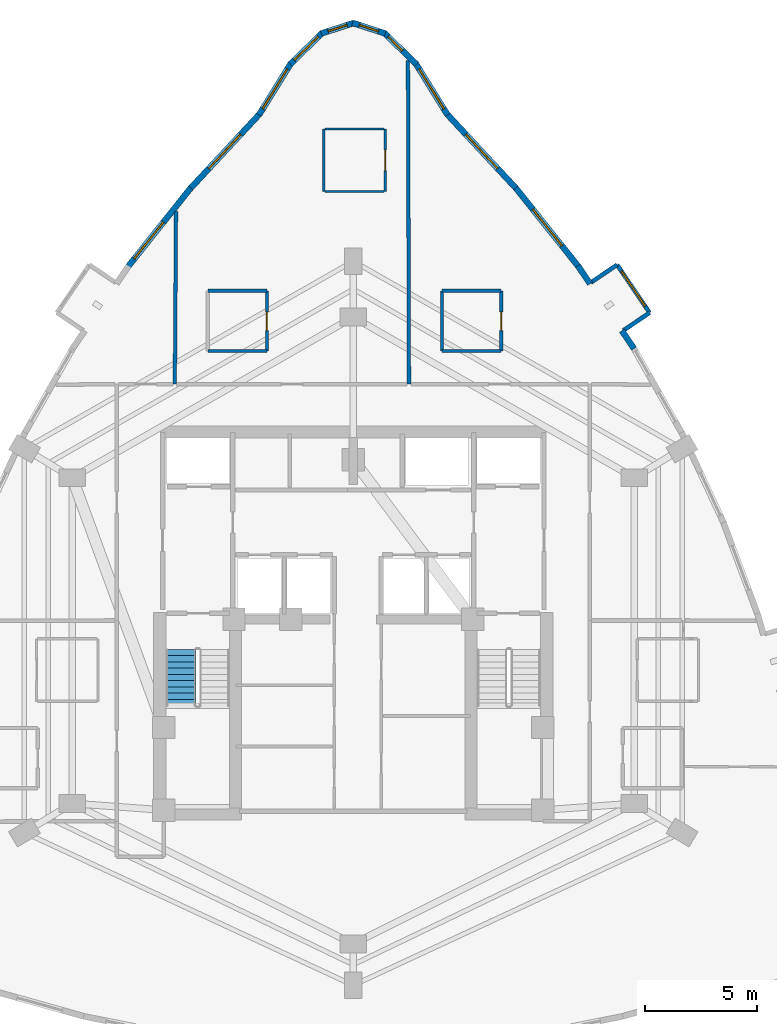
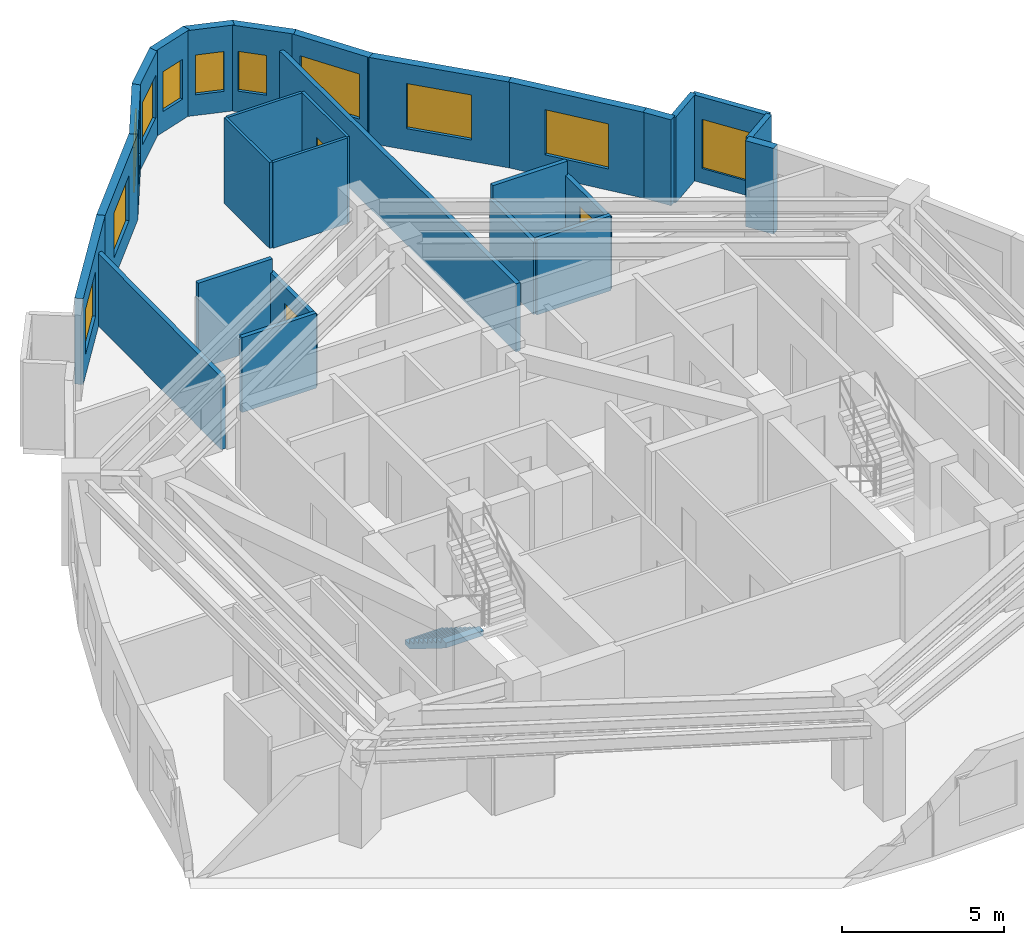
# One storey, part 7 of 9: 28 walls, 11 windows, 3 doors, 1 stair flight, 14 openings, 1 element without a shape of its own.
"""IFC4 building model written with IfcOpenShell, lengths in metres."""

from ifc_helpers import new_model, si_unit, direction, frame, frame_2d, origin, place, context, subcontext, project, spatial, polyline, rectangle, outline, extrude, material, layer, layer_set, type_object, element, fill, aggregate, save


model = new_model("IFC4")

# Units and contexts
model_context = context("Model", 3, precision=1e-05, world=origin(), true_north=direction((0.0, 1.0)))
body_context = subcontext(model_context, "Body", "Model", "MODEL_VIEW")
ifc_project = project(units=[si_unit("LENGTHUNIT", "METRE"), si_unit("AREAUNIT", "SQUARE_METRE"), si_unit("VOLUMEUNIT", "CUBIC_METRE"), si_unit("PLANEANGLEUNIT", "RADIAN"), si_unit("MASSUNIT", "GRAM", prefix="KILO")], contexts=[model_context])

# Site, building, storey
site_placement = place(None, origin())
site = spatial("IfcSite", under=ifc_project, at=site_placement, CompositionType="ELEMENT")
building_placement = place(site_placement, origin())
building = spatial("IfcBuilding", under=site, at=building_placement, Name="Miruveldt Soraemaru", CompositionType="ELEMENT")
storey_placement = place(building_placement, frame((0.0, 0.0, 135.39990234375)))
storey = spatial("IfcBuildingStorey", under=building, at=storey_placement, Name="L37", CompositionType="ELEMENT", Elevation=135.39990234375)

# Walls
ifc_material_1 = material(Name="White powder-coated aluminium EN AW-6060 T6", Category="aluminium")
ifc_layer_1 = layer(ifc_material_1, 0.18994140625, Name="White powder-coated aluminium EN AW-6060 T6", Category="aluminium")
ifc_layer_set_1 = layer_set([ifc_layer_1], Name="White powder-coated aluminium EN AW-6060 T6")
wall_type_1 = type_object("IfcWallType", Name="WALL-BAY-ALU190", PredefinedType="SOLIDWALL", material=ifc_layer_set_1)
for number, where, z_axis, x_axis, name in (
    (1, (56.10791015625, 56.998779296875, 0.0), (0.0, 0.0, 1.0), (0.827862228344, 0.560931485016, 0.0), "L37 Bay Window Side Cheek 3L"),
    (2, (55.82958984375, 59.95068359375, 0.0), (0.0, 0.0, 1.0), (-0.827995667279, -0.560734495966, 0.0), "L37 Bay Window Side Cheek 3R"),
):
    element("IfcWall", number, at=place(storey_placement, frame(where, z_axis=z_axis, x_axis=x_axis)), inside=storey, type_object=wall_type_1, Name=name, PredefinedType="SOLIDWALL", context=body_context, shape_type="SweptSolid", body=[
        extrude(rectangle(XDim=1.425048828125, YDim=0.18994140625, at=frame_2d((0.71240234375, 0.0))), origin(), (0.0, 0.0, 1.0), 3.235107421875),
    ])

# Wall, opening, window
wall_1_placement = place(storey_placement, frame((57.28759765625, 57.798095703125, 0.0), z_axis=(0.0, 0.0, 1.0), x_axis=(-0.560796235507, 0.827953852724, 0.0)))
wall_1 = element("IfcWall", 3, at=wall_1_placement, inside=storey, type_object=wall_type_1, Name="L37 Bay Window Front Frame 3", PredefinedType="SOLIDWALL", context=body_context, shape_type="SweptSolid", body=[
    extrude(rectangle(XDim=2.599853515625, YDim=0.18994140625, at=frame_2d((1.2998046875, 0.0))), origin(), (0.0, 0.0, 1.0), 3.235107421875),
])
opening_1_placement = place(wall_1_placement, frame((0.35009765625, 0.0, 0.550048828125)))
opening_1 = element("IfcOpeningElement", 4, at=opening_1_placement, cuts=wall_1, Name="Opening WN-6", PredefinedType="OPENING", context=body_context, shape_type="SweptSolid", body=[
    extrude(rectangle(XDim=1.89990234375, YDim=1.85009765625, at=frame_2d((0.949951171875, 0.925048828125))), frame((0.0, 0.10498046875, 0.0), z_axis=(0.0, -1.0, 0.0), x_axis=(1.0, 0.0, 0.0)), (0.0, 0.0, 1.0), 0.2099609375),
])
ifc_material_2 = material(Name="Triple low-e insulated glazing", Category="glass")
window_type_1 = type_object("IfcWindowType", Name="WIN-BAYW-1900x1850", PartitioningType="SINGLE_PANEL", PredefinedType="WINDOW", material=ifc_material_2)
window_1_placement = place(opening_1_placement, origin())
window_1 = element("IfcWindow", 5, at=window_1_placement, inside=storey, type_object=window_type_1, Name="L37 Projecting Bay Window 3", OverallHeight=1.85009765625, OverallWidth=1.89990234375, PartitioningType="SINGLE_PANEL", PredefinedType="WINDOW", context=body_context, shape_type="SweptSolid", body=[
    extrude(rectangle(XDim=1.89990234375, YDim=1.85009765625, at=frame_2d((0.949951171875, 0.925048828125))), frame((0.0, 0.030029296875, 0.0), z_axis=(0.0, -1.0, 0.0), x_axis=(1.0, 0.0, 0.0)), (0.0, 0.0, 1.0), 0.06005859375),
])
fill(opening_1, window_1)

ifc_material_3 = material(Name="Precast concrete C45/55 (45 MPa)", Category="concrete")
ifc_layer_2 = layer(ifc_material_3, 0.27001953125, Name="Precast concrete C45/55 (45 MPa)", Category="concrete")
ifc_layer_set_2 = layer_set([ifc_layer_2], Name="Precast concrete C45/55 (45 MPa)")
wall_type_2 = type_object("IfcWallType", Name="WALL-EXT-PC270", PredefinedType="SOLIDWALL", material=ifc_layer_set_2)
wall_2_placement = place(storey_placement, frame((48.227294921875, 66.669921875, 0.0), z_axis=(0.0, 0.0, 1.0), x_axis=(-0.526072038114, 0.850440010062, 0.0)))
wall_2 = element("IfcWall", 6, at=wall_2_placement, inside=storey, type_object=wall_type_2, Name="L37 Precast Concrete Facade Wall 1", PredefinedType="SOLIDWALL", context=body_context, shape_type="SweptSolid", body=[
    extrude(rectangle(XDim=2.736572265625, YDim=0.27001953125, at=frame_2d((1.3681640625, 0.0))), origin(), (0.0, 0.0, 1.0), 3.235107421875),
])
opening_2_placement = place(wall_2_placement, frame((0.319091796875, 0.0, 0.800048828125)))
opening_2 = element("IfcOpeningElement", 7, at=opening_2_placement, cuts=wall_2, Name="Opening WN-1", PredefinedType="OPENING", context=body_context, shape_type="SweptSolid", body=[
    extrude(rectangle(XDim=2.10009765625, YDim=1.699951171875, at=frame_2d((1.050048828125, 0.85009765625))), frame((0.0, 0.14501953125, 0.0), z_axis=(0.0, -1.0, 0.0), x_axis=(1.0, 0.0, 0.0)), (0.0, 0.0, 1.0), 0.2900390625),
])
window_type_2 = type_object("IfcWindowType", Name="WIN-PUNCH-2100x1700", PartitioningType="SINGLE_PANEL", PredefinedType="WINDOW", material=ifc_material_2)
window_2_placement = place(opening_2_placement, origin())
window_2 = element("IfcWindow", 8, at=window_2_placement, inside=storey, type_object=window_type_2, Name="L37 Punched Triple-Glazed Window 01.1", OverallHeight=1.699951171875, OverallWidth=2.10009765625, PartitioningType="SINGLE_PANEL", PredefinedType="WINDOW", context=body_context, shape_type="SweptSolid", body=[
    extrude(rectangle(XDim=2.10009765625, YDim=1.699951171875, at=frame_2d((1.050048828125, 0.85009765625))), frame((0.0, 0.030029296875, 0.0), z_axis=(0.0, -1.0, 0.0), x_axis=(1.0, 0.0, 0.0)), (0.0, 0.0, 1.0), 0.06005859375),
])
fill(opening_2, window_2)

wall_3_placement = place(storey_placement, frame((46.8310546875, 68.943115234375, 0.0), z_axis=(0.0, 0.0, 1.0), x_axis=(-0.717816386965, 0.696232457305, 0.0)))
wall_3 = element("IfcWall", 9, at=wall_3_placement, inside=storey, type_object=wall_type_2, Name="L37 Precast Concrete Facade Wall 2", PredefinedType="SOLIDWALL", context=body_context, shape_type="SweptSolid", body=[
    extrude(rectangle(XDim=2.024658203125, YDim=0.27001953125, at=frame_2d((1.01220703125, 0.0))), origin(), (0.0, 0.0, 1.0), 3.235107421875),
])
opening_3_placement = place(wall_3_placement, frame((0.875, 0.0, 0.780029296875)))
opening_3 = element("IfcOpeningElement", 10, at=opening_3_placement, cuts=wall_3, Name="Opening WN-7", PredefinedType="OPENING", context=body_context, shape_type="SweptSolid", body=[
    extrude(rectangle(XDim=0.89990234375, YDim=1.5, at=frame_2d((0.449951171875, 0.75))), frame((0.0, 0.14501953125, 0.0), z_axis=(0.0, -1.0, 0.0), x_axis=(1.0, 0.0, 0.0)), (0.0, 0.0, 1.0), 0.2900390625),
])
window_type_3 = type_object("IfcWindowType", Name="WIN-PUNCH-900x1500", PartitioningType="SINGLE_PANEL", PredefinedType="WINDOW", material=ifc_material_2)
window_3_placement = place(opening_3_placement, origin())
window_3 = element("IfcWindow", 11, at=window_3_placement, inside=storey, type_object=window_type_3, Name="L37 Punched Triple-Glazed Window 02.1", OverallHeight=1.5, OverallWidth=0.89990234375, PartitioningType="SINGLE_PANEL", PredefinedType="WINDOW", context=body_context, shape_type="SweptSolid", body=[
    extrude(rectangle(XDim=0.89990234375, YDim=1.5, at=frame_2d((0.449951171875, 0.75))), frame((0.0, 0.030029296875, 0.0), z_axis=(0.0, -1.0, 0.0), x_axis=(1.0, 0.0, 0.0)), (0.0, 0.0, 1.0), 0.06005859375),
])
fill(opening_3, window_3)

wall_4_placement = place(storey_placement, frame((45.436279296875, 70.317626953125, 0.0), z_axis=(0.0, 0.0, 1.0), x_axis=(-0.951505777251, 0.307630875981, 0.0)))
wall_4 = element("IfcWall", 12, at=wall_4_placement, inside=storey, type_object=wall_type_2, Name="L37 Precast Concrete Facade Wall 3", PredefinedType="SOLIDWALL", context=body_context, shape_type="SweptSolid", body=[
    extrude(rectangle(XDim=1.54443359375, YDim=0.27001953125, at=frame_2d((0.772216796875, 0.0))), origin(), (0.0, 0.0, 1.0), 3.235107421875),
])
opening_4_placement = place(wall_4_placement, frame((0.322021484375, 0.0, 0.780029296875)))
opening_4 = element("IfcOpeningElement", 13, at=opening_4_placement, cuts=wall_4, Name="Opening WN-7", PredefinedType="OPENING", context=body_context, shape_type="SweptSolid", body=[
    extrude(rectangle(XDim=0.89990234375, YDim=1.5, at=frame_2d((0.449951171875, 0.75))), frame((0.0, 0.14501953125, 0.0), z_axis=(0.0, -1.0, 0.0), x_axis=(1.0, 0.0, 0.0)), (0.0, 0.0, 1.0), 0.2900390625),
])
window_4_placement = place(opening_4_placement, origin())
window_4 = element("IfcWindow", 14, at=window_4_placement, inside=storey, type_object=window_type_3, Name="L37 Punched Triple-Glazed Window 03.1", OverallHeight=1.5, OverallWidth=0.89990234375, PartitioningType="SINGLE_PANEL", PredefinedType="WINDOW", context=body_context, shape_type="SweptSolid", body=[
    extrude(rectangle(XDim=0.89990234375, YDim=1.5, at=frame_2d((0.449951171875, 0.75))), frame((0.0, 0.030029296875, 0.0), z_axis=(0.0, -1.0, 0.0), x_axis=(1.0, 0.0, 0.0)), (0.0, 0.0, 1.0), 0.06005859375),
])
fill(opening_4, window_4)

wall_5_placement = place(storey_placement, frame((44.033203125, 70.792724609375, 0.0), z_axis=(0.0, 0.0, 1.0), x_axis=(-0.951505777251, -0.307630875981, 0.0)))
wall_5 = element("IfcWall", 15, at=wall_5_placement, inside=storey, type_object=wall_type_2, Name="L37 Precast Concrete Facade Wall 4", PredefinedType="SOLIDWALL", context=body_context, shape_type="SweptSolid", body=[
    extrude(rectangle(XDim=1.54443359375, YDim=0.27001953125, at=frame_2d((0.772216796875, 0.0))), origin(), (0.0, 0.0, 1.0), 3.235107421875),
])
opening_5_placement = place(wall_5_placement, frame((0.322021484375, 0.0, 0.780029296875)))
opening_5 = element("IfcOpeningElement", 16, at=opening_5_placement, cuts=wall_5, Name="Opening WN-7", PredefinedType="OPENING", context=body_context, shape_type="SweptSolid", body=[
    extrude(rectangle(XDim=0.89990234375, YDim=1.5, at=frame_2d((0.449951171875, 0.75))), frame((0.0, 0.14501953125, 0.0), z_axis=(0.0, -1.0, 0.0), x_axis=(1.0, 0.0, 0.0)), (0.0, 0.0, 1.0), 0.2900390625),
])
window_5_placement = place(opening_5_placement, origin())
window_5 = element("IfcWindow", 17, at=window_5_placement, inside=storey, type_object=window_type_3, Name="L37 Punched Triple-Glazed Window 04.1", OverallHeight=1.5, OverallWidth=0.89990234375, PartitioningType="SINGLE_PANEL", PredefinedType="WINDOW", context=body_context, shape_type="SweptSolid", body=[
    extrude(rectangle(XDim=0.89990234375, YDim=1.5, at=frame_2d((0.449951171875, 0.75))), frame((0.0, 0.030029296875, 0.0), z_axis=(0.0, -1.0, 0.0), x_axis=(1.0, 0.0, 0.0)), (0.0, 0.0, 1.0), 0.06005859375),
])
fill(opening_5, window_5)

wall_6_placement = place(storey_placement, frame((42.622314453125, 70.352783203125, 0.0), z_axis=(0.0, 0.0, 1.0), x_axis=(-0.717816386965, -0.696232457305, 0.0)))
wall_6 = element("IfcWall", 18, at=wall_6_placement, inside=storey, type_object=wall_type_2, Name="L37 Precast Concrete Facade Wall 5", PredefinedType="SOLIDWALL", context=body_context, shape_type="SweptSolid", body=[
    extrude(rectangle(XDim=2.024658203125, YDim=0.27001953125, at=frame_2d((1.01220703125, 0.0))), origin(), (0.0, 0.0, 1.0), 3.235107421875),
])
opening_6_placement = place(wall_6_placement, frame((0.261962890625, 0.0, 0.800048828125)))
opening_6 = element("IfcOpeningElement", 19, at=opening_6_placement, cuts=wall_6, Name="Opening WN-3", PredefinedType="OPENING", context=body_context, shape_type="SweptSolid", body=[
    extrude(rectangle(XDim=1.5, YDim=1.60009765625, at=frame_2d((0.75, 0.800048828125))), frame((0.0, 0.14501953125, 0.0), z_axis=(0.0, -1.0, 0.0), x_axis=(1.0, 0.0, 0.0)), (0.0, 0.0, 1.0), 0.2900390625),
])
window_type_4 = type_object("IfcWindowType", Name="WIN-PUNCH-1500x1600", PartitioningType="SINGLE_PANEL", PredefinedType="WINDOW", material=ifc_material_2)
window_6_placement = place(opening_6_placement, origin())
window_6 = element("IfcWindow", 20, at=window_6_placement, inside=storey, type_object=window_type_4, Name="L37 Punched Triple-Glazed Window 05.1", OverallHeight=1.60009765625, OverallWidth=1.5, PartitioningType="SINGLE_PANEL", PredefinedType="WINDOW", context=body_context, shape_type="SweptSolid", body=[
    extrude(rectangle(XDim=1.5, YDim=1.60009765625, at=frame_2d((0.75, 0.800048828125))), frame((0.0, 0.030029296875, 0.0), z_axis=(0.0, -1.0, 0.0), x_axis=(1.0, 0.0, 0.0)), (0.0, 0.0, 1.0), 0.06005859375),
])
fill(opening_6, window_6)

wall_7_placement = place(storey_placement, frame((41.21240234375, 68.997314453125, 0.0), z_axis=(0.0, 0.0, 1.0), x_axis=(-0.526072038114, -0.850440010062, 0.0)))
wall_7 = element("IfcWall", 21, at=wall_7_placement, inside=storey, type_object=wall_type_2, Name="L37 Precast Concrete Facade Wall 6", PredefinedType="SOLIDWALL", context=body_context, shape_type="SweptSolid", body=[
    extrude(rectangle(XDim=2.736572265625, YDim=0.27001953125, at=frame_2d((1.3681640625, 0.0))), origin(), (0.0, 0.0, 1.0), 3.235107421875),
])
opening_7_placement = place(wall_7_placement, frame((0.319091796875, 0.0, 0.800048828125)))
opening_7 = element("IfcOpeningElement", 22, at=opening_7_placement, cuts=wall_7, Name="Opening WN-1", PredefinedType="OPENING", context=body_context, shape_type="SweptSolid", body=[
    extrude(rectangle(XDim=2.10009765625, YDim=1.699951171875, at=frame_2d((1.050048828125, 0.85009765625))), frame((0.0, 0.14501953125, 0.0), z_axis=(0.0, -1.0, 0.0), x_axis=(1.0, 0.0, 0.0)), (0.0, 0.0, 1.0), 0.2900390625),
])
window_7_placement = place(opening_7_placement, origin())
window_7 = element("IfcWindow", 23, at=window_7_placement, inside=storey, type_object=window_type_2, Name="L37 Punched Triple-Glazed Window 06.1", OverallHeight=1.699951171875, OverallWidth=2.10009765625, PartitioningType="SINGLE_PANEL", PredefinedType="WINDOW", context=body_context, shape_type="SweptSolid", body=[
    extrude(rectangle(XDim=2.10009765625, YDim=1.699951171875, at=frame_2d((1.050048828125, 0.85009765625))), frame((0.0, 0.030029296875, 0.0), z_axis=(0.0, -1.0, 0.0), x_axis=(1.0, 0.0, 0.0)), (0.0, 0.0, 1.0), 0.06005859375),
])
fill(opening_7, window_7)

wall_8_placement = place(storey_placement, frame((39.81494140625, 66.725341796875, 0.0), z_axis=(0.0, 0.0, 1.0), x_axis=(-0.680884594173, -0.732390721826, 0.0)))
wall_8 = element("IfcWall", 24, at=wall_8_placement, inside=storey, type_object=wall_type_2, Name="L37 Precast Concrete Facade Wall 7", PredefinedType="SOLIDWALL", context=body_context, shape_type="SweptSolid", body=[
    extrude(rectangle(XDim=4.62158203125, YDim=0.27001953125, at=frame_2d((2.310791015625, 0.0))), origin(), (0.0, 0.0, 1.0), 3.235107421875),
])
opening_8_placement = place(wall_8_placement, frame((1.260986328125, 0.0, 0.800048828125)))
opening_8 = element("IfcOpeningElement", 25, at=opening_8_placement, cuts=wall_8, Name="Opening WN-1", PredefinedType="OPENING", context=body_context, shape_type="SweptSolid", body=[
    extrude(rectangle(XDim=2.10009765625, YDim=1.699951171875, at=frame_2d((1.050048828125, 0.85009765625))), frame((0.0, 0.14501953125, 0.0), z_axis=(0.0, -1.0, 0.0), x_axis=(1.0, 0.0, 0.0)), (0.0, 0.0, 1.0), 0.2900390625),
])
window_8_placement = place(opening_8_placement, origin())
window_8 = element("IfcWindow", 26, at=window_8_placement, inside=storey, type_object=window_type_2, Name="L37 Punched Triple-Glazed Window 07.1", OverallHeight=1.699951171875, OverallWidth=2.10009765625, PartitioningType="SINGLE_PANEL", PredefinedType="WINDOW", context=body_context, shape_type="SweptSolid", body=[
    extrude(rectangle(XDim=2.10009765625, YDim=1.699951171875, at=frame_2d((1.050048828125, 0.85009765625))), frame((0.0, 0.030029296875, 0.0), z_axis=(0.0, -1.0, 0.0), x_axis=(1.0, 0.0, 0.0)), (0.0, 0.0, 1.0), 0.06005859375),
])
fill(opening_8, window_8)

wall_9_placement = place(storey_placement, frame((36.7138671875, 63.3935546875, 0.0), z_axis=(0.0, 0.0, 1.0), x_axis=(-0.623592662653, -0.781749442651, 0.0)))
wall_9 = element("IfcWall", 27, at=wall_9_placement, inside=storey, type_object=wall_type_2, Name="L37 Precast Concrete Facade Wall 8", PredefinedType="SOLIDWALL", context=body_context, shape_type="SweptSolid", body=[
    extrude(rectangle(XDim=4.539794921875, YDim=0.27001953125, at=frame_2d((2.27001953125, 0.0))), origin(), (0.0, 0.0, 1.0), 3.235107421875),
])
opening_9_placement = place(wall_9_placement, frame((1.962890625, 0.0, 0.800048828125)))
opening_9 = element("IfcOpeningElement", 28, at=opening_9_placement, cuts=wall_9, Name="Opening WN-1", PredefinedType="OPENING", context=body_context, shape_type="SweptSolid", body=[
    extrude(rectangle(XDim=2.10009765625, YDim=1.699951171875, at=frame_2d((1.050048828125, 0.85009765625))), frame((0.0, 0.14501953125, 0.0), z_axis=(0.0, -1.0, 0.0), x_axis=(1.0, 0.0, 0.0)), (0.0, 0.0, 1.0), 0.2900390625),
])
window_9_placement = place(opening_9_placement, origin())
window_9 = element("IfcWindow", 29, at=window_9_placement, inside=storey, type_object=window_type_2, Name="L37 Punched Triple-Glazed Window 08.1", OverallHeight=1.699951171875, OverallWidth=2.10009765625, PartitioningType="SINGLE_PANEL", PredefinedType="WINDOW", context=body_context, shape_type="SweptSolid", body=[
    extrude(rectangle(XDim=2.10009765625, YDim=1.699951171875, at=frame_2d((1.050048828125, 0.85009765625))), frame((0.0, 0.030029296875, 0.0), z_axis=(0.0, -1.0, 0.0), x_axis=(1.0, 0.0, 0.0)), (0.0, 0.0, 1.0), 0.06005859375),
])
fill(opening_9, window_9)

# Walls
wall_10_placement = place(storey_placement, frame((56.5908203125, 56.18798828125, 0.0), z_axis=(0.0, 0.0, 1.0), x_axis=(-0.560770403853, 0.827971348636, 0.0)))
element("IfcWall", 30, at=wall_10_placement, inside=storey, type_object=wall_type_2, Name="L37 Precast Pier Wall 40A", PredefinedType="SOLIDWALL", context=body_context, shape_type="SweptSolid", body=[
    extrude(rectangle(XDim=0.97216796875, YDim=0.27001953125, at=frame_2d((0.486083984375, 0.0))), origin(), (0.0, 0.0, 1.0), 3.235107421875),
])
wall_11_placement = place(storey_placement, frame((54.62109375, 59.095947265625, 0.0), z_axis=(0.0, 0.0, 1.0), x_axis=(-0.560942525399, 0.827854747645, 0.0)))
element("IfcWall", 31, at=wall_11_placement, inside=storey, type_object=wall_type_2, Name="L37 Precast Pier Wall 40B", PredefinedType="SOLIDWALL", context=body_context, shape_type="SweptSolid", body=[
    extrude(rectangle(XDim=0.972412109375, YDim=0.27001953125, at=frame_2d((0.486328125, 0.0))), origin(), (0.0, 0.0, 1.0), 3.235107421875),
])

# Wall, opening, window
wall_12_placement = place(storey_placement, frame((54.1171875, 59.844482421875, 0.0), z_axis=(0.0, 0.0, 1.0), x_axis=(-0.623592662653, 0.781749442651, 0.0)))
wall_12 = element("IfcWall", 32, at=wall_12_placement, inside=storey, type_object=wall_type_2, Name="L37 Precast Concrete Facade Wall 41", PredefinedType="SOLIDWALL", context=body_context, shape_type="SweptSolid", body=[
    extrude(rectangle(XDim=4.539794921875, YDim=0.27001953125, at=frame_2d((2.27001953125, 0.0))), origin(), (0.0, 0.0, 1.0), 3.235107421875),
])
opening_10_placement = place(wall_12_placement, frame((1.219970703125, 0.0, 0.800048828125)))
opening_10 = element("IfcOpeningElement", 33, at=opening_10_placement, cuts=wall_12, Name="Opening WN-1", PredefinedType="OPENING", context=body_context, shape_type="SweptSolid", body=[
    extrude(rectangle(XDim=2.10009765625, YDim=1.699951171875, at=frame_2d((1.050048828125, 0.85009765625))), frame((0.0, 0.14501953125, 0.0), z_axis=(0.0, -1.0, 0.0), x_axis=(1.0, 0.0, 0.0)), (0.0, 0.0, 1.0), 0.2900390625),
])
window_10_placement = place(opening_10_placement, origin())
window_10 = element("IfcWindow", 34, at=window_10_placement, inside=storey, type_object=window_type_2, Name="L37 Punched Triple-Glazed Window 41.1", OverallHeight=1.699951171875, OverallWidth=2.10009765625, PartitioningType="SINGLE_PANEL", PredefinedType="WINDOW", context=body_context, shape_type="SweptSolid", body=[
    extrude(rectangle(XDim=2.10009765625, YDim=1.699951171875, at=frame_2d((1.050048828125, 0.85009765625))), frame((0.0, 0.030029296875, 0.0), z_axis=(0.0, -1.0, 0.0), x_axis=(1.0, 0.0, 0.0)), (0.0, 0.0, 1.0), 0.06005859375),
])
fill(opening_10, window_10)

wall_13_placement = place(storey_placement, frame((51.331787109375, 63.340576171875, 0.0), z_axis=(0.0, 0.0, 1.0), x_axis=(-0.680884594173, 0.732390721826, 0.0)))
wall_13 = element("IfcWall", 35, at=wall_13_placement, inside=storey, type_object=wall_type_2, Name="L37 Precast Concrete Facade Wall 42", PredefinedType="SOLIDWALL", context=body_context, shape_type="SweptSolid", body=[
    extrude(rectangle(XDim=4.62158203125, YDim=0.27001953125, at=frame_2d((2.310791015625, 0.0))), origin(), (0.0, 0.0, 1.0), 3.235107421875),
])
opening_11_placement = place(wall_13_placement, frame((1.260986328125, 0.0, 0.800048828125)))
opening_11 = element("IfcOpeningElement", 36, at=opening_11_placement, cuts=wall_13, Name="Opening WN-1", PredefinedType="OPENING", context=body_context, shape_type="SweptSolid", body=[
    extrude(rectangle(XDim=2.10009765625, YDim=1.699951171875, at=frame_2d((1.050048828125, 0.85009765625))), frame((0.0, 0.14501953125, 0.0), z_axis=(0.0, -1.0, 0.0), x_axis=(1.0, 0.0, 0.0)), (0.0, 0.0, 1.0), 0.2900390625),
])
window_11_placement = place(opening_11_placement, origin())
window_11 = element("IfcWindow", 37, at=window_11_placement, inside=storey, type_object=window_type_2, Name="L37 Punched Triple-Glazed Window 42.1", OverallHeight=1.699951171875, OverallWidth=2.10009765625, PartitioningType="SINGLE_PANEL", PredefinedType="WINDOW", context=body_context, shape_type="SweptSolid", body=[
    extrude(rectangle(XDim=2.10009765625, YDim=1.699951171875, at=frame_2d((1.050048828125, 0.85009765625))), frame((0.0, 0.030029296875, 0.0), z_axis=(0.0, -1.0, 0.0), x_axis=(1.0, 0.0, 0.0)), (0.0, 0.0, 1.0), 0.06005859375),
])
fill(opening_11, window_11)

# Wall, opening, door
ifc_material_4 = material(Name="Gypsum plasterboard lining", Category="gypsum")
ifc_layer_3 = layer(ifc_material_4, 0.10009765625, Name="Gypsum plasterboard lining", Category="gypsum")
ifc_layer_set_3 = layer_set([ifc_layer_3], Name="Gypsum plasterboard lining")
wall_type_3 = type_object("IfcWallType", Name="WALL-INT-P100", PredefinedType="PARTITIONING", material=ifc_layer_set_3)
wall_14_placement = place(storey_placement, frame((45.429931640625, 63.22998046875, 0.0), z_axis=(0.0, 0.0, 1.0), x_axis=(0.0, 1.0, 0.0)))
wall_14 = element("IfcWall", 38, at=wall_14_placement, inside=storey, type_object=wall_type_3, Name="L37 Partition Wall 18", PredefinedType="PARTITIONING", context=body_context, shape_type="SweptSolid", body=[
    extrude(rectangle(XDim=2.800048828125, YDim=0.10009765625, at=frame_2d((1.39990234375, 0.0))), origin(), (0.0, 0.0, 1.0), 3.235107421875),
])
opening_12_placement = place(wall_14_placement, frame((0.93994140625, 0.0, 0.0)))
opening_12 = element("IfcOpeningElement", 39, at=opening_12_placement, cuts=wall_14, Name="Opening D3A", PredefinedType="OPENING", context=body_context, shape_type="SweptSolid", body=[
    extrude(rectangle(XDim=0.919921875, YDim=2.10009765625, at=frame_2d((0.4599609375, 1.050048828125))), frame((0.0, 0.06005859375, 0.0), z_axis=(0.0, -1.0, 0.0), x_axis=(1.0, 0.0, 0.0)), (0.0, 0.0, 1.0), 0.1201171875),
])
ifc_material_5 = material(Name="Anodised aluminium EN AW-6063 T6", Category="aluminium")
door_type_1 = type_object("IfcDoorType", Name="DOOR-INT-920", OperationType="NOTDEFINED", PredefinedType="DOOR", material=ifc_material_5)
door_1_placement = place(opening_12_placement, origin())
door_1 = element("IfcDoor", 40, at=door_1_placement, inside=storey, type_object=door_type_1, Name="L37 Unit CL02 KIT Door", OperationType="SINGLE_SWING_RIGHT", OverallHeight=2.10009765625, OverallWidth=0.919921875, PredefinedType="DOOR", context=body_context, shape_type="SweptSolid", body=[
    extrude(rectangle(XDim=0.919921875, YDim=2.10009765625, at=frame_2d((0.4599609375, 1.050048828125))), frame((0.0, 0.02490234375, 0.0), z_axis=(0.0, -1.0, 0.0), x_axis=(1.0, 0.0, 0.0)), (0.0, 0.0, 1.0), 0.050048828125),
])
fill(opening_12, door_1)

# Walls
wall_15_placement = place(storey_placement, frame((42.679931640625, 66.030029296875, 0.0), z_axis=(0.0, 0.0, 1.0), x_axis=(0.0, -1.0, 0.0)))
element("IfcWall", 41, at=wall_15_placement, inside=storey, type_object=wall_type_3, Name="L37 Partition Wall 20", PredefinedType="PARTITIONING", context=body_context, shape_type="SweptSolid", body=[
    extrude(rectangle(XDim=2.800048828125, YDim=0.10009765625, at=frame_2d((1.39990234375, 0.0))), origin(), (0.0, 0.0, 1.0), 3.235107421875),
])
for number, where, z_axis, x_axis, name in (
    (42, (45.3798828125, 66.030029296875, 0.0), (0.0, 0.0, 1.0), (-1.0, 0.0, 0.0), "L37 Partition Wall 19"),
    (43, (42.72998046875, 63.22998046875, 0.0), (0.0, 0.0, 1.0), (1.0, 0.0, 0.0), "L37 Partition Wall 21"),
):
    element("IfcWall", number, at=place(storey_placement, frame(where, z_axis=z_axis, x_axis=x_axis)), inside=storey, type_object=wall_type_3, Name=name, PredefinedType="PARTITIONING", context=body_context, shape_type="SweptSolid", body=[
        extrude(rectangle(XDim=2.64990234375, YDim=0.10009765625, at=frame_2d((1.324951171875, 0.0))), origin(), (0.0, 0.0, 1.0), 3.235107421875),
    ])

# Wall, opening, door
ifc_layer_4 = layer(ifc_material_4, 0.14990234375, Name="Gypsum plasterboard lining", Category="gypsum")
ifc_layer_set_4 = layer_set([ifc_layer_4], Name="Gypsum plasterboard lining")
wall_type_4 = type_object("IfcWallType", Name="WALL-INT-PLUMB", PredefinedType="PLUMBINGWALL", material=ifc_layer_set_4)
wall_16_placement = place(storey_placement, frame((40.1298828125, 56.080078125, 0.0), z_axis=(0.0, 0.0, 1.0), x_axis=(0.0, 1.0, 0.0)))
wall_16 = element("IfcWall", 44, at=wall_16_placement, inside=storey, type_object=wall_type_4, Name="L37 Partition Wall 14", PredefinedType="PLUMBINGWALL", context=body_context, shape_type="SweptSolid", body=[
    extrude(rectangle(XDim=2.699951171875, YDim=0.14990234375, at=frame_2d((1.35009765625, 0.0))), origin(), (0.0, 0.0, 1.0), 2.72314453125),
])
opening_13_placement = place(wall_16_placement, frame((0.909912109375, 0.0, 0.0)))
opening_13 = element("IfcOpeningElement", 45, at=opening_13_placement, cuts=wall_16, Name="Opening FD3", PredefinedType="OPENING", context=body_context, shape_type="SweptSolid", body=[
    extrude(rectangle(XDim=0.85009765625, YDim=2.10009765625, at=frame_2d((0.425048828125, 1.050048828125))), frame((0.0, 0.0849609375, 0.0), z_axis=(0.0, -1.0, 0.0), x_axis=(1.0, 0.0, 0.0)), (0.0, 0.0, 1.0), 0.169921875),
])
door_type_2 = type_object("IfcDoorType", Name="DOOR-FD3-850", OperationType="NOTDEFINED", PredefinedType="DOOR", material=ifc_material_5)
door_2_placement = place(opening_13_placement, origin())
door_2 = element("IfcDoor", 46, at=door_2_placement, inside=storey, type_object=door_type_2, Name="L37 Unit CL02 BTH Door", OperationType="SINGLE_SWING_LEFT", OverallHeight=2.10009765625, OverallWidth=0.85009765625, PredefinedType="DOOR", context=body_context, shape_type="SweptSolid", body=[
    extrude(rectangle(XDim=0.85009765625, YDim=2.10009765625, at=frame_2d((0.425048828125, 1.050048828125))), frame((0.0, 0.02490234375, 0.0), z_axis=(0.0, -1.0, 0.0), x_axis=(1.0, 0.0, 0.0)), (0.0, 0.0, 1.0), 0.050048828125),
])
fill(opening_13, door_2)

wall_17_placement = place(storey_placement, frame((50.6298828125, 56.080078125, 0.0), z_axis=(0.0, 0.0, 1.0), x_axis=(0.0, 1.0, 0.0)))
wall_17 = element("IfcWall", 47, at=wall_17_placement, inside=storey, type_object=wall_type_4, Name="L37 Partition Wall 23", PredefinedType="PLUMBINGWALL", context=body_context, shape_type="SweptSolid", body=[
    extrude(rectangle(XDim=2.699951171875, YDim=0.14990234375, at=frame_2d((1.35009765625, 0.0))), origin(), (0.0, 0.0, 1.0), 2.72314453125),
])
opening_14_placement = place(wall_17_placement, frame((0.909912109375, 0.0, 0.0)))
opening_14 = element("IfcOpeningElement", 48, at=opening_14_placement, cuts=wall_17, Name="Opening FD3", PredefinedType="OPENING", context=body_context, shape_type="SweptSolid", body=[
    extrude(rectangle(XDim=0.85009765625, YDim=2.10009765625, at=frame_2d((0.425048828125, 1.050048828125))), frame((0.0, 0.0849609375, 0.0), z_axis=(0.0, -1.0, 0.0), x_axis=(1.0, 0.0, 0.0)), (0.0, 0.0, 1.0), 0.169921875),
])
door_3_placement = place(opening_14_placement, origin())
door_3 = element("IfcDoor", 49, at=door_3_placement, inside=storey, type_object=door_type_2, Name="L37 Unit CL03 BTH Door", OperationType="SINGLE_SWING_RIGHT", OverallHeight=2.10009765625, OverallWidth=0.85009765625, PredefinedType="DOOR", context=body_context, shape_type="SweptSolid", body=[
    extrude(rectangle(XDim=0.85009765625, YDim=2.10009765625, at=frame_2d((0.425048828125, 1.050048828125))), frame((0.0, 0.02490234375, 0.0), z_axis=(0.0, -1.0, 0.0), x_axis=(1.0, 0.0, 0.0)), (0.0, 0.0, 1.0), 0.050048828125),
])
fill(opening_14, door_3)

# Walls
wall_18_placement = place(storey_placement, frame((47.97998046875, 58.780029296875, 0.0), z_axis=(0.0, 0.0, 1.0), x_axis=(0.0, -1.0, 0.0)))
element("IfcWall", 50, at=wall_18_placement, inside=storey, type_object=wall_type_4, Name="L37 Partition Wall 25", PredefinedType="PLUMBINGWALL", context=body_context, shape_type="SweptSolid", body=[
    extrude(rectangle(XDim=2.699951171875, YDim=0.14990234375, at=frame_2d((1.35009765625, 0.0))), origin(), (0.0, 0.0, 1.0), 2.72314453125),
])
wall_19_placement = place(storey_placement, frame((40.1298828125, 58.780029296875, 0.0), z_axis=(0.0, 0.0, 1.0), x_axis=(-1.0, 0.0, 0.0)))
element("IfcWall", 51, at=wall_19_placement, inside=storey, type_object=wall_type_4, Name="L37 Partition Wall 15", PredefinedType="PLUMBINGWALL", context=body_context, shape_type="SweptSolid", body=[
    extrude(rectangle(XDim=2.64990234375, YDim=0.14990234375, at=frame_2d((1.324951171875, 0.0))), origin(), (0.0, 0.0, 1.0), 3.235107421875),
])
wall_20_placement = place(storey_placement, frame((37.47998046875, 56.080078125, 0.0), z_axis=(0.0, 0.0, 1.0), x_axis=(1.0, 0.0, 0.0)))
element("IfcWall", 52, at=wall_20_placement, inside=storey, type_object=wall_type_4, Name="L37 Partition Wall 17", PredefinedType="PLUMBINGWALL", context=body_context, shape_type="SweptSolid", body=[
    extrude(rectangle(XDim=2.64990234375, YDim=0.14990234375, at=frame_2d((1.324951171875, 0.0))), origin(), (0.0, 0.0, 1.0), 2.822998046875),
])
wall_21_placement = place(storey_placement, frame((50.6298828125, 58.780029296875, 0.0), z_axis=(0.0, 0.0, 1.0), x_axis=(-1.0, 0.0, 0.0)))
element("IfcWall", 53, at=wall_21_placement, inside=storey, type_object=wall_type_4, Name="L37 Partition Wall 24", PredefinedType="PLUMBINGWALL", context=body_context, shape_type="SweptSolid", body=[
    extrude(rectangle(XDim=2.64990234375, YDim=0.14990234375, at=frame_2d((1.324951171875, 0.0))), origin(), (0.0, 0.0, 1.0), 3.235107421875),
])
wall_22_placement = place(storey_placement, frame((47.97998046875, 56.080078125, 0.0), z_axis=(0.0, 0.0, 1.0), x_axis=(1.0, 0.0, 0.0)))
element("IfcWall", 54, at=wall_22_placement, inside=storey, type_object=wall_type_4, Name="L37 Partition Wall 26", PredefinedType="PLUMBINGWALL", context=body_context, shape_type="SweptSolid", body=[
    extrude(rectangle(XDim=2.64990234375, YDim=0.14990234375, at=frame_2d((1.324951171875, 0.0))), origin(), (0.0, 0.0, 1.0), 2.822998046875),
])
ifc_material_6 = material(Name="Concrete C40/50 (40 MPa)", Category="concrete")
ifc_layer_5 = layer(ifc_material_6, 0.159912109375, Name="Concrete C40/50 (40 MPa)", Category="concrete")
ifc_layer_set_5 = layer_set([ifc_layer_5], Name="Concrete C40/50 (40 MPa)")
wall_type_5 = type_object("IfcWallType", Name="WALL-INT-RC160", PredefinedType="SOLIDWALL", material=ifc_layer_set_5)
wall_23_placement = place(storey_placement, frame((46.5, 54.60009765625, 0.0), z_axis=(0.0, 0.0, 1.0), x_axis=(-0.003383591162, 0.999994275639, 0.0)))
element("IfcWall", 55, at=wall_23_placement, inside=storey, type_object=wall_type_5, Name="L37 Partition Wall 22", PredefinedType="SOLIDWALL", context=body_context, shape_type="SweptSolid", body=[
    extrude(rectangle(XDim=14.5029296875, YDim=0.159912109375, at=frame_2d((7.25146484375, 0.0))), origin(), (0.0, 0.0, 1.0), 2.572998046875),
])
wall_24_placement = place(storey_placement, frame((36.0, 54.60009765625, 0.0), z_axis=(0.0, 0.0, 1.0), x_axis=(0.007109948267, 0.999974723998, 0.0)))
element("IfcWall", 56, at=wall_24_placement, inside=storey, type_object=wall_type_5, Name="L37 Partition Wall 12", PredefinedType="SOLIDWALL", context=body_context, shape_type="SweptSolid", body=[
    extrude(rectangle(XDim=7.72607421875, YDim=0.159912109375, at=frame_2d((3.863037109375, 0.0))), origin(), (0.0, 0.0, 1.0), 2.72314453125),
])

# Stair, stair flight
stair_type = type_object("IfcStairType", Name="STAIR-DL-350", PredefinedType="HALF_TURN_STAIR", material=ifc_material_6)
stair_placement = place(storey_placement, origin())
stair = element("IfcStair", 57, at=stair_placement, inside=storey, type_object=stair_type, Name="L37 Protected Exit Stair ST-1", PredefinedType="HALF_TURN_STAIR")
stair_flight_type = type_object("IfcStairFlightType", Name="SFL-DL-350", PredefinedType="STRAIGHT", material=ifc_material_6)
stair_flight_placement = place(storey_placement, frame((36.27490234375, 42.699951171875, 0.0), z_axis=(0.0, 0.0, 1.0), x_axis=(0.0, -1.0, 0.0)))
stair_flight = element("IfcStairFlight", 58, at=stair_flight_placement, type_object=stair_flight_type, Name="ST-1 flight 1", NumberOfRisers=10, NumberOfTreads=9, PredefinedType="STRAIGHT", RiserHeight=0.175, TreadLength=0.28, context=body_context, shape_type="SweptSolid", body=[
    extrude(outline(polyline([(0.0, 0.0), (0.0, 0.175048828125), (0.280029296875, 0.175048828125), (0.280029296875, 0.35009765625), (0.56005859375, 0.35009765625), (0.56005859375, 0.52490234375), (0.840087890625, 0.52490234375), (0.840087890625, 0.699951171875), (1.1201171875, 0.699951171875), (1.1201171875, 0.875), (1.39990234375, 0.875), (1.39990234375, 1.050048828125), (1.679931640625, 1.050048828125), (1.679931640625, 1.22509765625), (1.9599609375, 1.22509765625), (1.9599609375, 1.39990234375), (2.239990234375, 1.39990234375), (2.239990234375, 1.574951171875), (2.52001953125, 1.574951171875), (2.52001953125, 1.75), (2.52001953125, 1.386474609375), (0.3017578125, 0.0), (0.0, 0.0)])), frame((0.0, 0.675048828125, 0.0), z_axis=(0.0, -1.0, 0.0), x_axis=(1.0, 0.0, 0.0)), (0.0, 0.0, 1.0), 1.35009765625),
])
aggregate(stair, [stair_flight])

save(model, "model.ifc")
